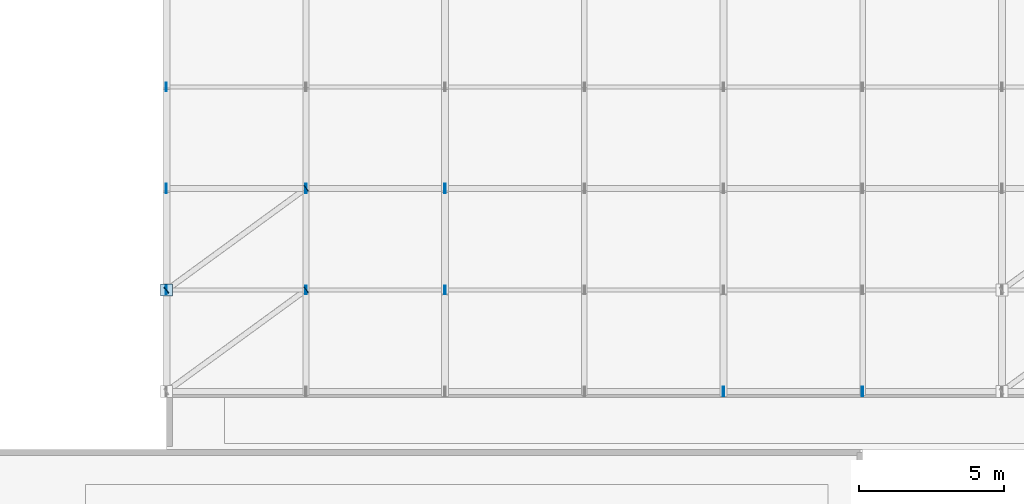
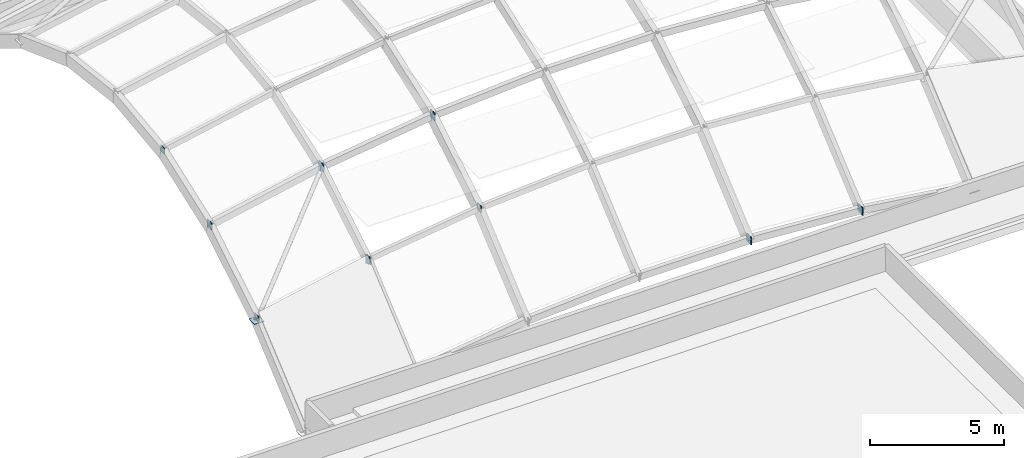
# One storey, part 88 of 128: 19 plates.
"""IFC4 building model written with IfcOpenShell, lengths in metres."""

from ifc_helpers import new_model, si_unit, direction, frame, origin, origin_2d, place, context, subcontext, project, spatial, rectangle, extrude, material, layer, layer_set, type_object, element, save


model = new_model("IFC4")

# Units and contexts
model_context = context("Model", 3, precision=1e-05, world=origin(), true_north=direction((0.0, 1.0)))
body_context = subcontext(model_context, "Body", "Model", "MODEL_VIEW")
ifc_project = project(units=[si_unit("LENGTHUNIT", "METRE"), si_unit("AREAUNIT", "SQUARE_METRE"), si_unit("VOLUMEUNIT", "CUBIC_METRE"), si_unit("PLANEANGLEUNIT", "RADIAN"), si_unit("MASSUNIT", "GRAM", prefix="KILO")], contexts=[model_context])

# Site, building, storey
site_placement = place(None, origin())
site = spatial("IfcSite", under=ifc_project, at=site_placement, CompositionType="ELEMENT")
building_placement = place(site_placement, origin())
building = spatial("IfcBuilding", under=site, at=building_placement, Name="Tarnwether General Hospital", CompositionType="ELEMENT")
storey_placement = place(building_placement, frame((0.0, 0.0, 14.39990234375)))
storey = spatial("IfcBuildingStorey", under=building, at=storey_placement, Name="L03", CompositionType="ELEMENT", Elevation=14.39990234375)

# Plates
ifc_material = material(Name="Steel Grade 350 (350 MPa)", Category="steel")
ifc_layer = layer(ifc_material, 0.02490234375)
ifc_layer_set = layer_set([ifc_layer], Name="Steel Grade 350 (350 MPa)")
plate_type = type_object("IfcPlateType", Name="PT-GUS2", PredefinedType="USERDEFINED", material=ifc_layer_set)
plate_1_placement = place(storey_placement, frame((108.0, 51.10009765625, 2.962646484375), z_axis=(0.0, 0.0, 1.0), x_axis=(1.0, 0.0, 0.0)))
element("IfcPlate", 1, at=plate_1_placement, inside=storey, type_object=plate_type, Name="Gridshell Star Gusset Node 049", ObjectType="GUSSET", PredefinedType="USERDEFINED", context=body_context, shape_type="SweptSolid", body=[
    extrude(rectangle(XDim=0.419921875, YDim=0.419921875, at=origin_2d()), origin(), (0.0, 0.0, 1.0), 0.02490234375),
])
for number, where, z_axis, x_axis, name in (
    (2, (127.21240234375, 47.60009765625, 1.8994140625), (0.0, 0.0, 1.0), (1.0, 0.0, 0.0), "Hollow Section Welded End Cap Plate 1250"),
    (3, (127.1875, 47.60009765625, 1.89990234375), (0.0, 0.0, 1.0), (1.0, 0.0, 0.0), "Hollow Section Welded End Cap Plate 1251"),
    (4, (132.012451171875, 47.60009765625, 1.57177734375), (0.0, 0.0, 1.0), (1.0, 0.0, 0.0), "Hollow Section Welded End Cap Plate 1252"),
    (5, (131.987548828125, 47.60009765625, 1.57421875), (0.0, 0.0, 1.0), (1.0, 0.0, 0.0), "Hollow Section Welded End Cap Plate 1253"),
):
    element("IfcPlate", number, at=place(storey_placement, frame(where, z_axis=z_axis, x_axis=x_axis)), inside=storey, type_object=plate_type, Name=name, ObjectType="GUSSET", PredefinedType="USERDEFINED", context=body_context, shape_type="SweptSolid", body=[
        extrude(rectangle(XDim=0.02490234375, YDim=0.340087890625, at=origin_2d()), origin(), (0.0, 0.0, 1.0), 0.340087890625),
    ])
for number, where, z_axis, x_axis, name in (
    (6, (107.98779296875, 51.10009765625, 2.962646484375), (0.0, 0.0, 1.0), (1.0, 0.0, 0.0), "Hollow Section Welded End Cap Plate 1257"),
    (7, (112.812255859375, 51.10009765625, 3.947265625), (0.0, 0.0, 1.0), (1.0, 0.0, 0.0), "Hollow Section Welded End Cap Plate 1258"),
    (8, (112.78759765625, 51.10009765625, 3.94287109375), (0.0, 0.0, 1.0), (1.0, 0.0, 0.0), "Hollow Section Welded End Cap Plate 1259"),
    (9, (117.6123046875, 51.10009765625, 4.599365234375), (0.0, 0.0, 1.0), (1.0, 0.0, 0.0), "Hollow Section Welded End Cap Plate 1260"),
    (10, (117.58740234375, 51.10009765625, 4.596923828125), (0.0, 0.0, 1.0), (1.0, 0.0, 0.0), "Hollow Section Welded End Cap Plate 1261"),
):
    element("IfcPlate", number, at=place(storey_placement, frame(where, z_axis=z_axis, x_axis=x_axis)), inside=storey, type_object=plate_type, Name=name, ObjectType="GUSSET", PredefinedType="USERDEFINED", context=body_context, shape_type="SweptSolid", body=[
        extrude(rectangle(XDim=0.02490234375, YDim=0.2900390625, at=origin_2d()), origin(), (0.0, 0.0, 1.0), 0.2900390625),
    ])
for number, where, z_axis, x_axis, name in (
    (11, (107.98779296875, 54.60009765625, 5.03759765625), (0.0, 0.0, 1.0), (1.0, 0.0, 0.0), "Hollow Section Welded End Cap Plate 1271"),
    (12, (112.812255859375, 54.60009765625, 6.02197265625), (0.0, 0.0, 1.0), (1.0, 0.0, 0.0), "Hollow Section Welded End Cap Plate 1272"),
    (13, (112.78759765625, 54.60009765625, 6.01806640625), (0.0, 0.0, 1.0), (1.0, 0.0, 0.0), "Hollow Section Welded End Cap Plate 1273"),
    (14, (117.6123046875, 54.60009765625, 6.67431640625), (0.0, 0.0, 1.0), (1.0, 0.0, 0.0), "Hollow Section Welded End Cap Plate 1274"),
    (15, (117.58740234375, 54.60009765625, 6.671875), (0.0, 0.0, 1.0), (1.0, 0.0, 0.0), "Hollow Section Welded End Cap Plate 1275"),
):
    element("IfcPlate", number, at=place(storey_placement, frame(where, z_axis=z_axis, x_axis=x_axis)), inside=storey, type_object=plate_type, Name=name, ObjectType="GUSSET", PredefinedType="USERDEFINED", context=body_context, shape_type="SweptSolid", body=[
        extrude(rectangle(XDim=0.02490234375, YDim=0.340087890625, at=origin_2d()), origin(), (0.0, 0.0, 1.0), 0.340087890625),
    ])
plate_2_placement = place(storey_placement, frame((107.98779296875, 58.10009765625, 6.362548828125), z_axis=(0.0, 0.0, 1.0), x_axis=(1.0, 0.0, 0.0)))
element("IfcPlate", 16, at=plate_2_placement, inside=storey, type_object=plate_type, Name="Hollow Section Welded End Cap Plate 1285", ObjectType="GUSSET", PredefinedType="USERDEFINED", context=body_context, shape_type="SweptSolid", body=[
    extrude(rectangle(XDim=0.02490234375, YDim=0.2900390625, at=origin_2d()), origin(), (0.0, 0.0, 1.0), 0.2900390625),
])
for number, where, z_axis, x_axis, name in (
    (17, (112.808349609375, 51.106201171875, 3.8447265625), (0.0, 0.0, 1.0), (0.808010450239, 0.589168152827, 0.0), "Hollow Section Welded End Cap Plate 1370"),
    (18, (107.990966796875, 51.093505859375, 2.852294921875), (0.0, 0.0, 1.0), (0.808010450239, 0.589168152827, 0.0), "Hollow Section Welded End Cap Plate 1371"),
    (19, (112.80908203125, 54.6064453125, 5.968505859375), (0.0, 0.0, 1.0), (0.808010450239, 0.589168152827, 0.0), "Hollow Section Welded End Cap Plate 1372"),
):
    element("IfcPlate", number, at=place(storey_placement, frame(where, z_axis=z_axis, x_axis=x_axis)), inside=storey, type_object=plate_type, Name=name, ObjectType="GUSSET", PredefinedType="USERDEFINED", context=body_context, shape_type="SweptSolid", body=[
        extrude(rectangle(XDim=0.02490234375, YDim=0.23388671875, at=origin_2d()), origin(), (0.0, 0.0, 1.0), 0.23388671875),
    ])

save(model, "model.ifc")
